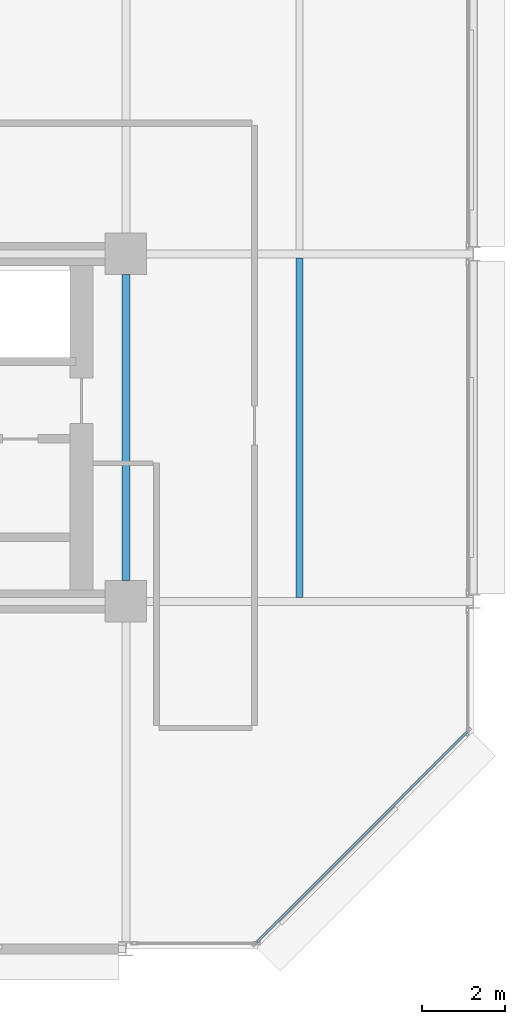
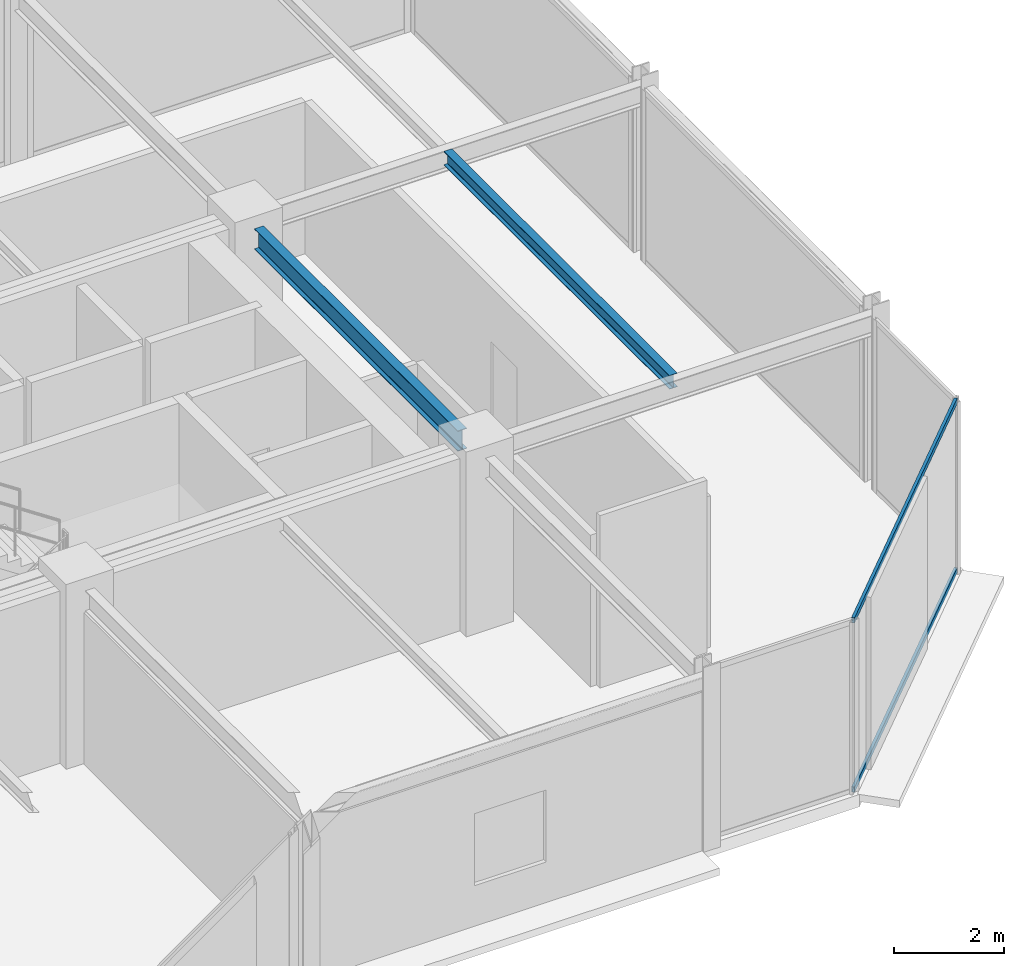
# One storey, part 12 of 29: 2 beams, 2 members, 1 element without a shape of its own.
"""IFC4 building model written with IfcOpenShell, lengths in metres."""

from ifc_helpers import new_model, si_unit, direction, frame, origin, origin_2d, place, context, subcontext, project, spatial, hollow_rectangle, i_section, extrude, material, layer, layer_set, material_profile, profile_set, type_object, element, aggregate, save


model = new_model("IFC4")

# Units and contexts
model_context = context("Model", 3, precision=1e-05, world=origin(), true_north=direction((0.0, 1.0)))
body_context = subcontext(model_context, "Body", "Model", "MODEL_VIEW")
ifc_project = project(units=[si_unit("LENGTHUNIT", "METRE"), si_unit("AREAUNIT", "SQUARE_METRE"), si_unit("VOLUMEUNIT", "CUBIC_METRE"), si_unit("PLANEANGLEUNIT", "RADIAN"), si_unit("MASSUNIT", "GRAM", prefix="KILO")], contexts=[model_context])

# Site, building, storey
site_placement = place(None, origin())
site = spatial("IfcSite", under=ifc_project, at=site_placement, CompositionType="ELEMENT")
building_placement = place(site_placement, origin())
building = spatial("IfcBuilding", under=site, at=building_placement, Name="Nerrivon Quay Data Exchange", CompositionType="ELEMENT")
storey_placement = place(building_placement, frame((0.0, 0.0, 191.89990234375)))
storey = spatial("IfcBuildingStorey", under=building, at=storey_placement, Name="L45", CompositionType="ELEMENT", Elevation=191.89990234375)

# Beams
ifc_material_1 = material(Name="Steel Grade 350", Category="steel")
ifc_material_profile_1 = material_profile(ifc_material_1, i_section(OverallWidth=0.18994140625, OverallDepth=0.4541015625, WebThickness=0.008544921875, FlangeThickness=0.0126953125, FilletRadius=0.011474609375, at=origin_2d()), Name="460UB67.1")
ifc_profile_set_1 = profile_set([ifc_material_profile_1], Name="Steel Grade 350")
beam_type_1 = type_object("IfcBeamType", Name="BM-G6-460UB67", PredefinedType="BEAM", material=ifc_profile_set_1)
beam_1_placement = place(storey_placement, frame((33.60009765625, 8.89990234375, 3.59814453125), z_axis=(0.0, 1.0, 0.0), x_axis=(-1.0, 0.0, 0.0)))
element("IfcBeam", 1, at=beam_1_placement, inside=storey, type_object=beam_type_1, Name="L45 NS Girder X=33.6 (8.4..16.8)", PredefinedType="BEAM", context=body_context, shape_type="SweptSolid", body=[
    extrude(i_section(OverallWidth=0.18994140625, OverallDepth=0.4541015625, WebThickness=0.008544921875, FlangeThickness=0.0126953125, FilletRadius=0.011474609375, at=origin_2d()), origin(), (0.0, 0.0, 1.0), 7.400146484375),
])
ifc_material_profile_2 = material_profile(ifc_material_1, i_section(OverallWidth=0.166015625, OverallDepth=0.306884765625, WebThickness=0.006591796875, FlangeThickness=0.01171875, FilletRadius=0.011474609375, at=origin_2d()), Name="310UB46.2")
ifc_profile_set_2 = profile_set([ifc_material_profile_2], Name="Steel Grade 350")
beam_type_2 = type_object("IfcBeamType", Name="BM-J5-310UB46", PredefinedType="JOIST", material=ifc_profile_set_2)
beam_2_placement = place(storey_placement, frame((37.800048828125, 8.49560546875, 3.671630859375), z_axis=(0.0, 1.0, 0.0), x_axis=(-1.0, 0.0, 0.0)))
element("IfcBeam", 2, at=beam_2_placement, inside=storey, type_object=beam_type_2, Name="L45 Secondary Joist X=37.8 (8.4..16.8)", PredefinedType="JOIST", context=body_context, shape_type="SweptSolid", body=[
    extrude(i_section(OverallWidth=0.166015625, OverallDepth=0.306884765625, WebThickness=0.006591796875, FlangeThickness=0.01171875, FilletRadius=0.011474609375, at=origin_2d()), origin(), (0.0, 0.0, 1.0), 8.208984375),
])

# Curtain wall, members
ifc_material_2 = material(Name="Anodised aluminium 6063-T6", Category="aluminium")
ifc_layer = layer(ifc_material_2, 0.195068359375)
ifc_layer_set = layer_set([ifc_layer], Name="Anodised aluminium 6063-T6")
curtain_wall_type = type_object("IfcCurtainWallType", Name="CW-SYS-06", PredefinedType="NOTDEFINED", material=ifc_layer_set)
curtain_wall_placement = place(storey_placement, origin())
curtain_wall = element("IfcCurtainWall", 3, at=curtain_wall_placement, inside=storey, type_object=curtain_wall_type, Name="L45 Unitised Curtain Wall 21", PredefinedType="NOTDEFINED")
ifc_material_profile_3 = material_profile(ifc_material_2, hollow_rectangle(XDim=0.06005859375, YDim=0.1201171875, WallThickness=0.003173828125, at=origin_2d()), Name="ALU-TRAN-120x60")
ifc_profile_set_3 = profile_set([ifc_material_profile_3], Name="Anodised aluminium 6063-T6")
member_type = type_object("IfcMemberType", Name="CWT-120x60", PredefinedType="USERDEFINED", material=ifc_profile_set_3)
member_1_placement = place(storey_placement, frame((41.847900390625, 5.245849609375, 0.03271484375), z_axis=(-0.707106781187, -0.707106781187, 0.0), x_axis=(0.707106781187, -0.707106781187, 0.0)))
member_1 = element("IfcMember", 4, at=member_1_placement, type_object=member_type, Name="CW06 transom 1.1", ObjectType="TRANSOM", PredefinedType="USERDEFINED", context=body_context, shape_type="SweptSolid", body=[
    extrude(hollow_rectangle(XDim=0.06005859375, YDim=0.1201171875, WallThickness=0.003173828125, at=origin_2d()), origin(), (0.0, 0.0, 1.0), 7.20361328125),
])
member_2_placement = place(storey_placement, frame((41.847900390625, 5.245849609375, 3.79248046875), z_axis=(-0.707106781187, -0.707106781187, 0.0), x_axis=(0.707106781187, -0.707106781187, 0.0)))
member_2 = element("IfcMember", 5, at=member_2_placement, type_object=member_type, Name="CW06 transom 1.2", ObjectType="TRANSOM", PredefinedType="USERDEFINED", context=body_context, shape_type="SweptSolid", body=[
    extrude(hollow_rectangle(XDim=0.06005859375, YDim=0.1201171875, WallThickness=0.003173828125, at=origin_2d()), origin(), (0.0, 0.0, 1.0), 7.20361328125),
])
aggregate(curtain_wall, [member_1, member_2])

save(model, "model.ifc")
